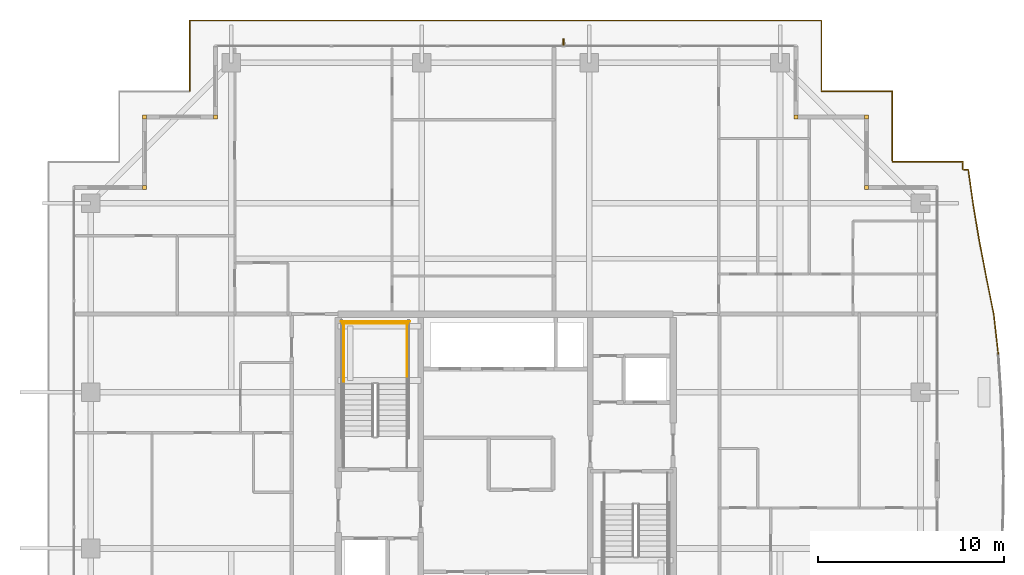
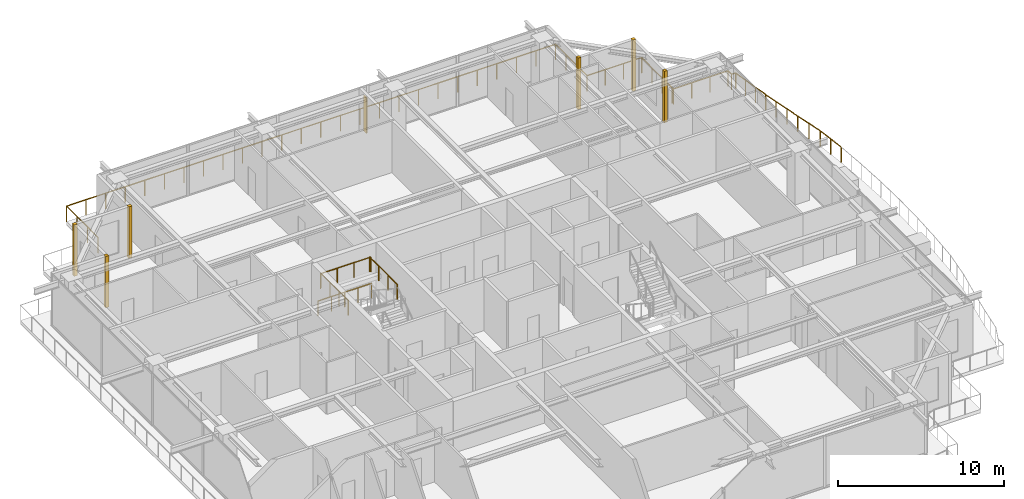
# One storey, part 41 of 41: 6 coverings, 6 railings, 1 shading device.
"""IFC4 building model written with IfcOpenShell, lengths in metres."""

from ifc_helpers import new_model, si_unit, direction, frame, origin, origin_2d, place, context, subcontext, project, spatial, rectangle, circle, extrude, source, transform, mapped, material, layer, layer_set, type_object, element, save


model = new_model("IFC4")

# Units and contexts
model_context = context("Model", 3, precision=1e-05, world=origin(), true_north=direction((0.0, 1.0)))
body_context = subcontext(model_context, "Body", "Model", "MODEL_VIEW")
ifc_project = project(units=[si_unit("LENGTHUNIT", "METRE"), si_unit("AREAUNIT", "SQUARE_METRE"), si_unit("VOLUMEUNIT", "CUBIC_METRE"), si_unit("PLANEANGLEUNIT", "RADIAN"), si_unit("MASSUNIT", "GRAM", prefix="KILO")], contexts=[model_context])

# Site, building, storey
site_placement = place(None, origin())
site = spatial("IfcSite", under=ifc_project, at=site_placement, CompositionType="ELEMENT")
building_placement = place(site_placement, origin())
building = spatial("IfcBuilding", under=site, at=building_placement, Name="Serunith Strait Residences", CompositionType="ELEMENT")
storey_placement = place(building_placement, frame((0.0, 0.0, 301.550048828125)))
storey = spatial("IfcBuildingStorey", under=building, at=storey_placement, Name="L75", CompositionType="ELEMENT", Elevation=301.550048828125)

# Railings
ifc_material_1 = material(Name="Stainless Steel & Laminated Glass Balustrade", Category="steel")
railing_type_1 = type_object("IfcRailingType", Name="RLG-BALC-1150", PredefinedType="BALUSTRADE", material=ifc_material_1)
railing_1_placement = place(storey_placement, frame((15.407470703125, 45.580078125, -0.050048828125)))
element("IfcRailing", 1, at=railing_1_placement, inside=storey, type_object=railing_type_1, Name="L75 Swirling Balcony Perimeter Balustrade 2", PredefinedType="BALUSTRADE", context=body_context, shape_type="SweptSolid", body=[
    extrude(circle(Radius=0.02392578125, at=origin_2d()), frame((0.012451171875, 0.006591796875, 1.1259765625), z_axis=(0.0, 1.0, 0.0), x_axis=(-1.0, 0.0, 0.0)), (0.0, 0.0, 1.0), 3.791259765625),
    extrude(circle(Radius=0.02392578125, at=origin_2d()), frame((0.014404296875, 3.7998046875, 1.1259765625), z_axis=(1.0, 0.0, 0.0), x_axis=(0.0, 1.0, 0.0)), (0.0, 0.0, 1.0), 33.9560546875),
    extrude(circle(Radius=0.02392578125, at=origin_2d()), frame((33.972412109375, 3.7978515625, 1.1259765625), z_axis=(0.0, -1.0, 0.0), x_axis=(1.0, 0.0, 0.0)), (0.0, 0.0, 1.0), 3.7958984375),
    extrude(circle(Radius=0.02392578125, at=origin_2d()), frame((33.974365234375, 0.0, 1.1259765625), z_axis=(1.0, 0.0, 0.0), x_axis=(0.0, 1.0, 0.0)), (0.0, 0.0, 1.0), 3.796142578125),
    extrude(circle(Radius=0.02392578125, at=origin_2d()), frame((37.7724609375, -0.001953125, 1.1259765625), z_axis=(0.0, -1.0, 0.0), x_axis=(1.0, 0.0, 0.0)), (0.0, 0.0, 1.0), 3.655029296875),
    extrude(circle(Radius=0.02392578125, at=origin_2d()), frame((37.772705078125, -3.660888671875, 1.1259765625), z_axis=(0.148842389439, -0.988860932137, 0.0), x_axis=(0.988860932137, 0.148842389439, 0.0)), (0.0, 0.0, 1.0), 0.138671875),
    extrude(circle(Radius=0.02099609375, at=origin_2d()), frame((0.012451171875, 0.004638671875, 0.0)), (0.0, 0.0, 1.0), 1.099853515625),
    extrude(circle(Radius=0.02099609375, at=origin_2d()), frame((0.012451171875, 1.269775390625, 0.0)), (0.0, 0.0, 1.0), 1.099853515625),
    extrude(circle(Radius=0.02099609375, at=origin_2d()), frame((0.012451171875, 2.53466796875, 0.0)), (0.0, 0.0, 1.0), 1.099853515625),
    extrude(circle(Radius=0.02099609375, at=origin_2d()), frame((0.012451171875, 3.7998046875, 0.0)), (0.0, 0.0, 1.0), 1.099853515625),
    extrude(circle(Radius=0.02099609375, at=origin_2d()), frame((1.370849609375, 3.7998046875, 0.0)), (0.0, 0.0, 1.0), 1.099853515625),
    extrude(circle(Radius=0.02099609375, at=origin_2d()), frame((2.729248046875, 3.7998046875, 0.0)), (0.0, 0.0, 1.0), 1.099853515625),
    extrude(circle(Radius=0.02099609375, at=origin_2d()), frame((4.087646484375, 3.7998046875, 0.0)), (0.0, 0.0, 1.0), 1.099853515625),
    extrude(circle(Radius=0.02099609375, at=origin_2d()), frame((5.446044921875, 3.7998046875, 0.0)), (0.0, 0.0, 1.0), 1.099853515625),
    extrude(circle(Radius=0.02099609375, at=origin_2d()), frame((6.804443359375, 3.7998046875, 0.0)), (0.0, 0.0, 1.0), 1.099853515625),
    extrude(circle(Radius=0.02099609375, at=origin_2d()), frame((8.162841796875, 3.7998046875, 0.0)), (0.0, 0.0, 1.0), 1.099853515625),
    extrude(circle(Radius=0.02099609375, at=origin_2d()), frame((9.521240234375, 3.7998046875, 0.0)), (0.0, 0.0, 1.0), 1.099853515625),
    extrude(circle(Radius=0.02099609375, at=origin_2d()), frame((10.879638671875, 3.7998046875, 0.0)), (0.0, 0.0, 1.0), 1.099853515625),
    extrude(circle(Radius=0.02099609375, at=origin_2d()), frame((12.238037109375, 3.7998046875, 0.0)), (0.0, 0.0, 1.0), 1.099853515625),
    extrude(circle(Radius=0.02099609375, at=origin_2d()), frame((13.596435546875, 3.7998046875, 0.0)), (0.0, 0.0, 1.0), 1.099853515625),
    extrude(circle(Radius=0.02099609375, at=origin_2d()), frame((14.954833984375, 3.7998046875, 0.0)), (0.0, 0.0, 1.0), 1.099853515625),
    extrude(circle(Radius=0.02099609375, at=origin_2d()), frame((16.313232421875, 3.7998046875, 0.0)), (0.0, 0.0, 1.0), 1.099853515625),
    extrude(circle(Radius=0.02099609375, at=origin_2d()), frame((17.671630859375, 3.7998046875, 0.0)), (0.0, 0.0, 1.0), 1.099853515625),
    extrude(circle(Radius=0.02099609375, at=origin_2d()), frame((19.030029296875, 3.7998046875, 0.0)), (0.0, 0.0, 1.0), 1.099853515625),
    extrude(circle(Radius=0.02099609375, at=origin_2d()), frame((20.388427734375, 3.7998046875, 0.0)), (0.0, 0.0, 1.0), 1.099853515625),
    extrude(circle(Radius=0.02099609375, at=origin_2d()), frame((21.746826171875, 3.7998046875, 0.0)), (0.0, 0.0, 1.0), 1.099853515625),
    extrude(circle(Radius=0.02099609375, at=origin_2d()), frame((23.105224609375, 3.7998046875, 0.0)), (0.0, 0.0, 1.0), 1.099853515625),
    extrude(circle(Radius=0.02099609375, at=origin_2d()), frame((24.463623046875, 3.7998046875, 0.0)), (0.0, 0.0, 1.0), 1.099853515625),
    extrude(circle(Radius=0.02099609375, at=origin_2d()), frame((25.822021484375, 3.7998046875, 0.0)), (0.0, 0.0, 1.0), 1.099853515625),
    extrude(circle(Radius=0.02099609375, at=origin_2d()), frame((27.180419921875, 3.7998046875, 0.0)), (0.0, 0.0, 1.0), 1.099853515625),
    extrude(circle(Radius=0.02099609375, at=origin_2d()), frame((28.538818359375, 3.7998046875, 0.0)), (0.0, 0.0, 1.0), 1.099853515625),
    extrude(circle(Radius=0.02099609375, at=origin_2d()), frame((29.897216796875, 3.7998046875, 0.0)), (0.0, 0.0, 1.0), 1.099853515625),
    extrude(circle(Radius=0.02099609375, at=origin_2d()), frame((31.255615234375, 3.7998046875, 0.0)), (0.0, 0.0, 1.0), 1.099853515625),
    extrude(circle(Radius=0.02099609375, at=origin_2d()), frame((32.614013671875, 3.7998046875, 0.0)), (0.0, 0.0, 1.0), 1.099853515625),
    extrude(circle(Radius=0.02099609375, at=origin_2d()), frame((33.972412109375, 3.7998046875, 0.0)), (0.0, 0.0, 1.0), 1.099853515625),
    extrude(circle(Radius=0.02099609375, at=origin_2d()), frame((33.972412109375, 2.533203125, 0.0)), (0.0, 0.0, 1.0), 1.099853515625),
    extrude(circle(Radius=0.02099609375, at=origin_2d()), frame((33.972412109375, 1.2666015625, 0.0)), (0.0, 0.0, 1.0), 1.099853515625),
    extrude(circle(Radius=0.02099609375, at=origin_2d()), frame((33.972412109375, 0.0, 0.0)), (0.0, 0.0, 1.0), 1.099853515625),
    extrude(circle(Radius=0.02099609375, at=origin_2d()), frame((35.239013671875, 0.0, 0.0)), (0.0, 0.0, 1.0), 1.099853515625),
    extrude(circle(Radius=0.02099609375, at=origin_2d()), frame((36.505859375, 0.0, 0.0)), (0.0, 0.0, 1.0), 1.099853515625),
    extrude(circle(Radius=0.02099609375, at=origin_2d()), frame((37.7724609375, 0.0, 0.0)), (0.0, 0.0, 1.0), 1.099853515625),
    extrude(circle(Radius=0.02099609375, at=origin_2d()), frame((37.7724609375, -1.2197265625, 0.0)), (0.0, 0.0, 1.0), 1.099853515625),
    extrude(circle(Radius=0.02099609375, at=origin_2d()), frame((37.7724609375, -2.439208984375, 0.0)), (0.0, 0.0, 1.0), 1.099853515625),
    extrude(circle(Radius=0.02099609375, at=origin_2d()), frame((37.7724609375, -3.658935546875, 0.0)), (0.0, 0.0, 1.0), 1.099853515625),
    extrude(circle(Radius=0.02099609375, at=origin_2d()), frame((37.793701171875, -3.800048828125, 0.0)), (0.0, 0.0, 1.0), 1.099853515625),
])
railing_2_placement = place(storey_placement, frame((53.201171875, 41.780029296875, -0.050048828125)))
element("IfcRailing", 2, at=railing_2_placement, inside=storey, type_object=railing_type_1, Name="L75 Swirling Balcony Perimeter Balustrade 3", PredefinedType="BALUSTRADE", context=body_context, shape_type="SweptSolid", body=[
    extrude(circle(Radius=0.02392578125, at=origin_2d()), frame((0.001953125, 0.0, 1.1259765625), z_axis=(1.0, 0.0, 0.0), x_axis=(0.0, 1.0, 0.0)), (0.0, 0.0, 1.0), 3.77490234375),
    extrude(circle(Radius=0.02392578125, at=origin_2d()), frame((3.77880859375, -0.001953125, 1.1259765625), z_axis=(0.0, -1.0, 0.0), x_axis=(1.0, 0.0, 0.0)), (0.0, 0.0, 1.0), 0.408203125),
    extrude(circle(Radius=0.02392578125, at=origin_2d()), frame((3.78076171875, -0.412109375, 1.1259765625), z_axis=(0.998149907196, -0.060801009575, 0.0), x_axis=(0.060801009575, 0.998149907196, 0.0)), (0.0, 0.0, 1.0), 0.28515625),
    extrude(circle(Radius=0.02392578125, at=origin_2d()), frame((4.067626953125, -0.431640625, 1.1259765625), z_axis=(0.140051209882, -0.990144261515, 0.0), x_axis=(0.990144261515, 0.140051209882, 0.0)), (0.0, 0.0, 1.0), 1.9169921875),
    extrude(circle(Radius=0.02392578125, at=origin_2d()), frame((4.336669921875, -2.333740234375, 1.1259765625), z_axis=(0.166920200195, -0.985970408667, 0.0), x_axis=(0.985970408667, 0.166920200195, 0.0)), (0.0, 0.0, 1.0), 1.942626953125),
    extrude(circle(Radius=0.02392578125, at=origin_2d()), frame((4.661865234375, -4.253173828125, 1.1259765625), z_axis=(0.188437591314, -0.982085166459, 0.0), x_axis=(0.982085166459, 0.188437591314, 0.0)), (0.0, 0.0, 1.0), 1.98486328125),
    extrude(circle(Radius=0.02392578125, at=origin_2d()), frame((5.03662109375, -6.206298828125, 1.1259765625), z_axis=(0.197859974259, -0.980230294669, 0.0), x_axis=(0.980230294669, 0.197859974259, 0.0)), (0.0, 0.0, 1.0), 2.041748046875),
    extrude(circle(Radius=0.02392578125, at=origin_2d()), frame((5.441162109375, -8.211669921875, 1.1259765625), z_axis=(0.111200606253, -0.993797980059, 0.0), x_axis=(0.993797980059, 0.111200606253, 0.0)), (0.0, 0.0, 1.0), 2.121337890625),
    extrude(circle(Radius=0.02099609375, at=origin_2d()), origin(), (0.0, 0.0, 1.0), 1.099853515625),
    extrude(circle(Radius=0.02099609375, at=origin_2d()), frame((1.259521484375, 0.0, 0.0)), (0.0, 0.0, 1.0), 1.099853515625),
    extrude(circle(Radius=0.02099609375, at=origin_2d()), frame((2.519287109375, 0.0, 0.0)), (0.0, 0.0, 1.0), 1.099853515625),
    extrude(circle(Radius=0.02099609375, at=origin_2d()), frame((3.77880859375, 0.0, 0.0)), (0.0, 0.0, 1.0), 1.099853515625),
    extrude(circle(Radius=0.02099609375, at=origin_2d()), frame((3.77880859375, -0.412109375, 0.0)), (0.0, 0.0, 1.0), 1.099853515625),
    extrude(circle(Radius=0.02099609375, at=origin_2d()), frame((4.0673828125, -0.4296875, 0.0)), (0.0, 0.0, 1.0), 1.099853515625),
    extrude(circle(Radius=0.02099609375, at=origin_2d()), frame((4.201904296875, -1.380859375, 0.0)), (0.0, 0.0, 1.0), 1.099853515625),
    extrude(circle(Radius=0.02099609375, at=origin_2d()), frame((4.33642578125, -2.331787109375, 0.0)), (0.0, 0.0, 1.0), 1.099853515625),
    extrude(circle(Radius=0.02099609375, at=origin_2d()), frame((4.4990234375, -3.29150390625, 0.0)), (0.0, 0.0, 1.0), 1.099853515625),
    extrude(circle(Radius=0.02099609375, at=origin_2d()), frame((4.661376953125, -4.251220703125, 0.0)), (0.0, 0.0, 1.0), 1.099853515625),
    extrude(circle(Radius=0.02099609375, at=origin_2d()), frame((4.8486328125, -5.227783203125, 0.0)), (0.0, 0.0, 1.0), 1.099853515625),
    extrude(circle(Radius=0.02099609375, at=origin_2d()), frame((5.0361328125, -6.204345703125, 0.0)), (0.0, 0.0, 1.0), 1.099853515625),
    extrude(circle(Radius=0.02099609375, at=origin_2d()), frame((5.238525390625, -7.20703125, 0.0)), (0.0, 0.0, 1.0), 1.099853515625),
    extrude(circle(Radius=0.02099609375, at=origin_2d()), frame((5.44091796875, -8.209716796875, 0.0)), (0.0, 0.0, 1.0), 1.099853515625),
    extrude(circle(Radius=0.02099609375, at=origin_2d()), frame((5.55908203125, -9.265625, 0.0)), (0.0, 0.0, 1.0), 1.099853515625),
    extrude(circle(Radius=0.02099609375, at=origin_2d()), frame((5.67724609375, -10.32177734375, 0.0)), (0.0, 0.0, 1.0), 1.099853515625),
])
ifc_material_2 = material(Name="Brushed stainless steel 316L", Category="steel")
railing_type_2 = type_object("IfcRailingType", Name="RLG-STAIR-GUARD", PredefinedType="BALUSTRADE", material=ifc_material_2)
for number, where, name in (
    (3, (27.10009765625, 29.830078125, 2.02490234375), "L75 ST-1 stair guard 3"),
    (4, (23.699951171875, 29.830078125, 2.02490234375), "L75 ST-1 stair guard 4"),
):
    element("IfcRailing", number, at=place(storey_placement, frame(where)), inside=storey, type_object=railing_type_2, Name=name, PredefinedType="BALUSTRADE", context=body_context, shape_type="SweptSolid", body=[
        extrude(circle(Radius=0.02392578125, at=origin_2d()), frame((0.0, 0.001953125, 1.076171875), z_axis=(0.0, 1.0, 0.0), x_axis=(-1.0, 0.0, 0.0)), (0.0, 0.0, 1.0), 3.31591796875),
        extrude(circle(Radius=0.02099609375, at=origin_2d()), origin(), (0.0, 0.0, 1.0), 1.050048828125),
        extrude(circle(Radius=0.02099609375, at=origin_2d()), frame((0.0, 1.106689453125, 0.0)), (0.0, 0.0, 1.0), 1.050048828125),
        extrude(circle(Radius=0.02099609375, at=origin_2d()), frame((0.0, 2.213134765625, 0.0)), (0.0, 0.0, 1.0), 1.050048828125),
        extrude(circle(Radius=0.02099609375, at=origin_2d()), frame((0.0, 3.31982421875, 0.0)), (0.0, 0.0, 1.0), 1.050048828125),
    ])
railing_3_placement = place(storey_placement, frame((27.14990234375, 33.10009765625, 2.02490234375)))
element("IfcRailing", 5, at=railing_3_placement, inside=storey, type_object=railing_type_2, Name="L75 ST-1 stair guard 5", PredefinedType="BALUSTRADE", context=body_context, shape_type="SweptSolid", body=[
    extrude(circle(Radius=0.02392578125, at=origin_2d()), frame((-0.001953125, 0.0, 1.076171875), z_axis=(-1.0, 0.0, 0.0), x_axis=(0.0, -1.0, 0.0)), (0.0, 0.0, 1.0), 3.49609375),
    extrude(circle(Radius=0.02099609375, at=origin_2d()), origin(), (0.0, 0.0, 1.0), 1.050048828125),
    extrude(circle(Radius=0.02099609375, at=origin_2d()), frame((-1.166748046875, 0.0, 0.0)), (0.0, 0.0, 1.0), 1.050048828125),
    extrude(circle(Radius=0.02099609375, at=origin_2d()), frame((-2.333251953125, 0.0, 0.0)), (0.0, 0.0, 1.0), 1.050048828125),
    extrude(circle(Radius=0.02099609375, at=origin_2d()), frame((-3.5, 0.0, 0.0)), (0.0, 0.0, 1.0), 1.050048828125),
])
railing_4_placement = place(storey_placement, frame((27.25, 33.199951171875, 0.0)))
element("IfcRailing", 6, at=railing_4_placement, inside=storey, type_object=railing_type_2, Name="L75 ST-1 stair guard 12", PredefinedType="BALUSTRADE", context=body_context, shape_type="SweptSolid", body=[
    extrude(circle(Radius=0.02392578125, at=origin_2d()), frame((-0.001953125, 0.0, 1.076171875), z_axis=(-1.0, 0.0, 0.0), x_axis=(0.0, -1.0, 0.0)), (0.0, 0.0, 1.0), 3.696044921875),
    extrude(circle(Radius=0.02099609375, at=origin_2d()), origin(), (0.0, 0.0, 1.0), 1.050048828125),
    extrude(circle(Radius=0.02099609375, at=origin_2d()), frame((-0.925048828125, 0.0, 0.0)), (0.0, 0.0, 1.0), 1.050048828125),
    extrude(circle(Radius=0.02099609375, at=origin_2d()), frame((-1.85009765625, 0.0, 0.0)), (0.0, 0.0, 1.0), 1.050048828125),
    extrude(circle(Radius=0.02099609375, at=origin_2d()), frame((-2.77490234375, 0.0, 0.0)), (0.0, 0.0, 1.0), 1.050048828125),
    extrude(circle(Radius=0.02099609375, at=origin_2d()), frame((-3.699951171875, 0.0, 0.0)), (0.0, 0.0, 1.0), 1.050048828125),
])

# Shading device
ifc_material_3 = material(Name="Pale-Champagne Perforated Aluminium Fin", Category="aluminium")
shading_device_type = type_object("IfcShadingDeviceType", Name="SHD-DIAG-FIN", PredefinedType="AWNING", material=ifc_material_3)
shared_shape_1 = source(origin(), body_context, "Body", "SweptSolid", [
    extrude(rectangle(XDim=0.080078125, YDim=0.35009765625, at=origin_2d()), origin(), (0.0, 0.0, 1.0), 2.60009765625),
])
shading_device_placement = place(storey_placement, frame((35.52001953125, 48.219970703125, 0.199951171875), z_axis=(0.0, 0.0, 1.0), x_axis=(1.0, 0.0, 0.0)))
element("IfcShadingDevice", 7, at=shading_device_placement, inside=storey, type_object=shading_device_type, Name="L75 Diagonal Rhythm Solar Fin N", PredefinedType="AWNING", context=body_context, shape_type="MappedRepresentation", body=[
    mapped(shared_shape_1, transform((0.0, 0.0, 0.0), scale=1.0)),
])

# Coverings
ifc_material_4 = material(Name="Pale-Champagne Anodised Aluminium", Category="aluminium")
ifc_layer = layer(ifc_material_4, 0.219970703125, Name="Pale-Champagne Anodised Aluminium")
ifc_layer_set = layer_set([ifc_layer], Name="Pale-Champagne Anodised Aluminium")
covering_type = type_object("IfcCoveringType", Name="COV-CORN-TRIM", PredefinedType="CLADDING", material=ifc_layer_set)
shared_shape_2 = source(origin(), body_context, "Body", "SweptSolid", [
    extrude(rectangle(XDim=0.221923828125, YDim=0.221923828125, at=origin_2d()), origin(), (0.0, 0.0, 1.0), 3.77490234375),
])
for number, where, z_axis, x_axis, name in (
    (8, (51.800048828125, 40.39990234375, 0.0), (0.0, 0.0, 1.0), (1.0, 0.0, 0.0), "L75 Girih Serrated Corner Trim Post 07"),
    (9, (51.800048828125, 44.199951171875, 0.0), (0.0, 0.0, 1.0), (1.0, 0.0, 0.0), "L75 Girih Serrated Corner Trim Post 08"),
    (10, (48.0, 44.199951171875, 0.0), (0.0, 0.0, 1.0), (1.0, 0.0, 0.0), "L75 Girih Serrated Corner Trim Post 09"),
    (11, (16.800048828125, 44.199951171875, 0.0), (0.0, 0.0, 1.0), (1.0, 0.0, 0.0), "L75 Girih Serrated Corner Trim Post 12"),
    (12, (13.0, 44.199951171875, 0.0), (0.0, 0.0, 1.0), (1.0, 0.0, 0.0), "L75 Girih Serrated Corner Trim Post 13"),
    (13, (13.0, 40.39990234375, 0.0), (0.0, 0.0, 1.0), (1.0, 0.0, 0.0), "L75 Girih Serrated Corner Trim Post 14"),
):
    element("IfcCovering", number, at=place(storey_placement, frame(where, z_axis=z_axis, x_axis=x_axis)), inside=storey, type_object=covering_type, Name=name, PredefinedType="CLADDING", context=body_context, shape_type="MappedRepresentation", body=[
        mapped(shared_shape_2, transform((0.0, 0.0, 0.0), scale=1.0)),
    ])

save(model, "model.ifc")
